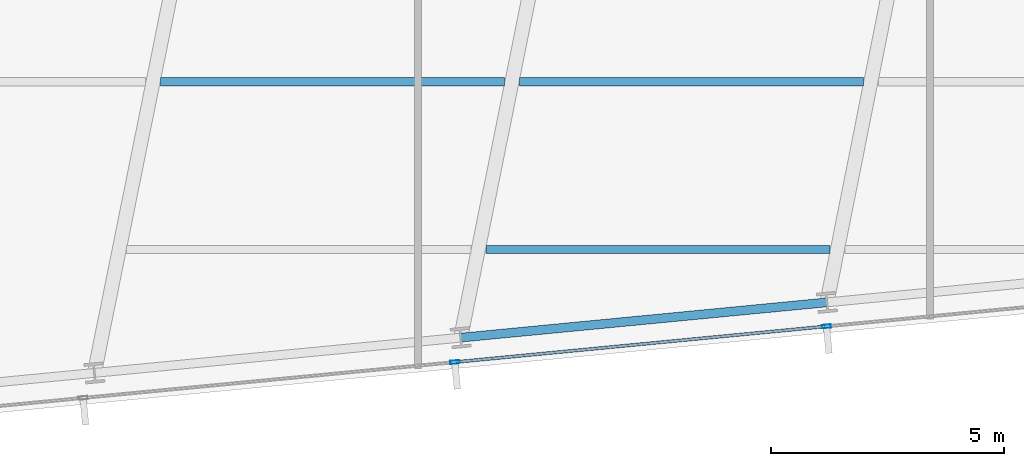
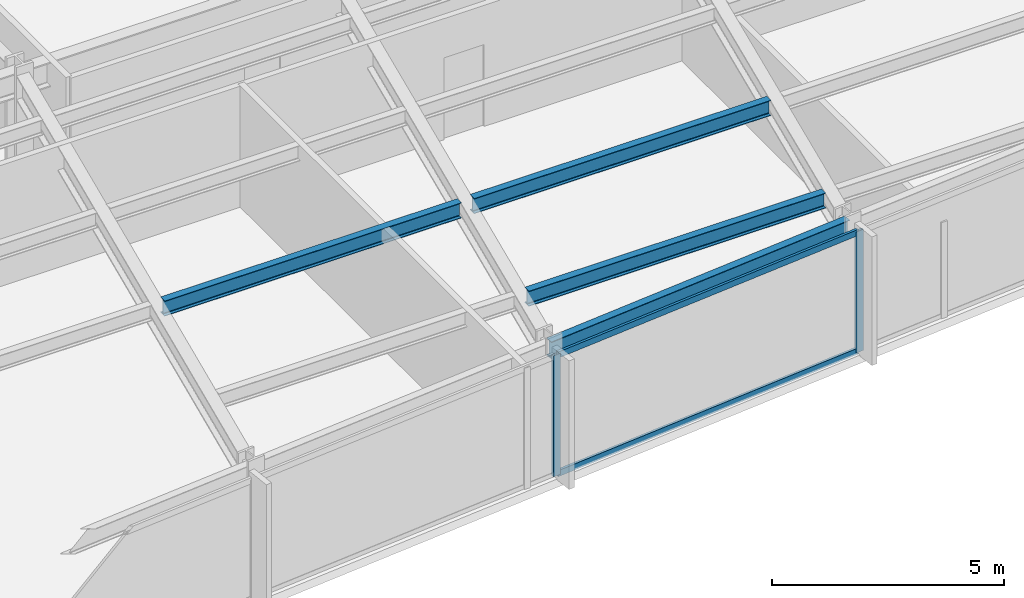
# One storey, part 4 of 32: 4 beams, 4 members, 1 element without a shape of its own.
"""IFC4 building model written with IfcOpenShell, lengths in metres."""

from ifc_helpers import new_model, si_unit, direction, frame, origin, origin_2d, place, context, subcontext, project, spatial, hollow_rectangle, i_section, extrude, material, material_profile, profile_set, type_object, element, aggregate, save


model = new_model("IFC4")

# Units and contexts
model_context = context("Model", 3, precision=1e-05, world=origin(), true_north=direction((0.0, 1.0)))
body_context = subcontext(model_context, "Body", "Model", "MODEL_VIEW")
ifc_project = project(units=[si_unit("LENGTHUNIT", "METRE"), si_unit("AREAUNIT", "SQUARE_METRE"), si_unit("VOLUMEUNIT", "CUBIC_METRE"), si_unit("PLANEANGLEUNIT", "RADIAN"), si_unit("MASSUNIT", "GRAM", prefix="KILO")], contexts=[model_context])

# Site, building, storey
site_placement = place(None, origin())
site = spatial("IfcSite", under=ifc_project, at=site_placement, CompositionType="ELEMENT")
building_placement = place(site_placement, origin())
building = spatial("IfcBuilding", under=site, at=building_placement, Name="Yelkora Congress Tower", CompositionType="ELEMENT")
storey_placement = place(building_placement, frame((0.0, 0.0, 99.89990234375)))
storey = spatial("IfcBuildingStorey", under=building, at=storey_placement, Name="L26", CompositionType="ELEMENT", Elevation=99.89990234375)

# Beams
ifc_material_1 = material(Name="Steel S355J2", Category="steel")
ifc_material_profile_1 = material_profile(ifc_material_1, i_section(OverallWidth=0.179931640625, OverallDepth=0.39990234375, WebThickness=0.008544921875, FlangeThickness=0.013427734375, FilletRadius=0.02099609375, at=origin_2d()), Name="IPE 400")
ifc_profile_set_1 = profile_set([ifc_material_profile_1], Name="Steel S355J2")
beam_type_1 = type_object("IfcBeamType", Name="BM-JOIST-IPE400", PredefinedType="JOIST", material=ifc_profile_set_1)
beam_1_placement = place(storey_placement, frame((36.023193359375, 12.54443359375, 2.97998046875), z_axis=(1.0, 0.0, 0.0), x_axis=(0.0, 1.0, 0.0)))
element("IfcBeam", 1, at=beam_1_placement, inside=storey, type_object=beam_type_1, Name="L26 Composite Floor Joist 2", PredefinedType="JOIST", context=body_context, shape_type="SweptSolid", body=[
    extrude(i_section(OverallWidth=0.179931640625, OverallDepth=0.39990234375, WebThickness=0.008544921875, FlangeThickness=0.013427734375, FilletRadius=0.02099609375, at=origin_2d()), origin(), (0.0, 0.0, 1.0), 7.37646484375),
])
beam_2_placement = place(storey_placement, frame((29.05419921875, 16.144287109375, 2.97998046875), z_axis=(1.0, 0.0, 0.0), x_axis=(0.0, 1.0, 0.0)))
element("IfcBeam", 2, at=beam_2_placement, inside=storey, type_object=beam_type_1, Name="L26 Composite Floor Joist 5", PredefinedType="JOIST", context=body_context, shape_type="SweptSolid", body=[
    extrude(i_section(OverallWidth=0.179931640625, OverallDepth=0.39990234375, WebThickness=0.008544921875, FlangeThickness=0.013427734375, FilletRadius=0.02099609375, at=origin_2d()), origin(), (0.0, 0.0, 1.0), 7.37060546875),
])
beam_3_placement = place(storey_placement, frame((36.744873046875, 16.144287109375, 2.97998046875), z_axis=(1.0, 0.0, 0.0), x_axis=(0.0, 1.0, 0.0)))
element("IfcBeam", 3, at=beam_3_placement, inside=storey, type_object=beam_type_1, Name="L26 Composite Floor Joist 6", PredefinedType="JOIST", context=body_context, shape_type="SweptSolid", body=[
    extrude(i_section(OverallWidth=0.179931640625, OverallDepth=0.39990234375, WebThickness=0.008544921875, FlangeThickness=0.013427734375, FilletRadius=0.02099609375, at=origin_2d()), origin(), (0.0, 0.0, 1.0), 7.371826171875),
])
ifc_material_profile_2 = material_profile(ifc_material_1, i_section(OverallWidth=0.18994140625, OverallDepth=0.449951171875, WebThickness=0.009521484375, FlangeThickness=0.0146484375, FilletRadius=0.02099609375, at=origin_2d()), Name="IPE 450")
ifc_profile_set_2 = profile_set([ifc_material_profile_2], Name="Steel S355J2")
beam_type_2 = type_object("IfcBeamType", Name="BM-SPAN-IPE450", PredefinedType="SPANDREL", material=ifc_profile_set_2)
beam_4_placement = place(storey_placement, frame((35.48486328125, 10.656005859375, 2.955078125), z_axis=(0.995395575667, 0.095852219286, 0.0), x_axis=(-0.095852219286, 0.995395575667, 0.0)))
element("IfcBeam", 4, at=beam_4_placement, inside=storey, type_object=beam_type_2, Name="L26 Perimeter Beam 5", PredefinedType="SPANDREL", context=body_context, shape_type="SweptSolid", body=[
    extrude(i_section(OverallWidth=0.18994140625, OverallDepth=0.449951171875, WebThickness=0.009521484375, FlangeThickness=0.0146484375, FilletRadius=0.02099609375, at=origin_2d()), origin(), (0.0, 0.0, 1.0), 7.8857421875),
])

# Curtain wall, members
ifc_material_2 = material(Name="Anodised aluminium and insulated glass", Category="aluminium")
curtain_wall_type = type_object("IfcCurtainWallType", Name="CW-SYS-B2", PredefinedType="NOTDEFINED", material=ifc_material_2)
curtain_wall_placement = place(storey_placement, origin())
curtain_wall = element("IfcCurtainWall", 5, at=curtain_wall_placement, inside=storey, type_object=curtain_wall_type, Name="L26 Unitised Curtain Wall 20", PredefinedType="NOTDEFINED")
ifc_material_3 = material(Name="Anodised aluminium 6063-T6", Category="aluminium")
ifc_material_profile_3 = material_profile(ifc_material_3, hollow_rectangle(XDim=0.070068359375, YDim=0.18994140625, WallThickness=0.00390625, at=origin_2d()), Name="ALU 70x190x4")
ifc_profile_set_3 = profile_set([ifc_material_profile_3], Name="Anodised aluminium 6063-T6")
member_type_1 = type_object("IfcMemberType", Name="MEM-ML-B2", PredefinedType="MULLION", material=ifc_profile_set_3)
member_1_placement = place(storey_placement, frame((43.32470703125, 10.898681640625, 0.0), z_axis=(0.0, 0.0, 1.0), x_axis=(0.095844345816, -0.995396333816, 0.0)))
member_1 = element("IfcMember", 6, at=member_1_placement, type_object=member_type_1, Name="CW-B2 mullion 5", PredefinedType="MULLION", context=body_context, shape_type="SweptSolid", body=[
    extrude(hollow_rectangle(XDim=0.070068359375, YDim=0.18994140625, WallThickness=0.00390625, at=origin_2d()), origin(), (0.0, 0.0, 1.0), 3.18017578125),
])
member_2_placement = place(storey_placement, frame((35.358642578125, 10.131591796875, 0.0), z_axis=(0.0, 0.0, 1.0), x_axis=(0.095844345816, -0.995396333816, 0.0)))
member_2 = element("IfcMember", 7, at=member_2_placement, type_object=member_type_1, Name="CW-B2 mullion 6", PredefinedType="MULLION", context=body_context, shape_type="SweptSolid", body=[
    extrude(hollow_rectangle(XDim=0.070068359375, YDim=0.18994140625, WallThickness=0.00390625, at=origin_2d()), origin(), (0.0, 0.0, 1.0), 3.18017578125),
])
ifc_material_profile_4 = material_profile(ifc_material_3, hollow_rectangle(XDim=0.06494140625, YDim=0.159912109375, WallThickness=0.00390625, at=origin_2d()), Name="ALU 65x160x4")
ifc_profile_set_4 = profile_set([ifc_material_profile_4], Name="Anodised aluminium 6063-T6")
member_type_2 = type_object("IfcMemberType", Name="MEM-TR-B2", PredefinedType="USERDEFINED", material=ifc_profile_set_4)
member_3_placement = place(storey_placement, frame((43.289794921875, 10.895263671875, 0.03271484375), z_axis=(-0.995397010735, -0.095837315383, 0.0), x_axis=(0.095837315383, -0.995397010735, 0.0)))
member_3 = element("IfcMember", 8, at=member_3_placement, type_object=member_type_2, Name="CW-B2 transom 5.1", ObjectType="TRANSOM", PredefinedType="USERDEFINED", context=body_context, shape_type="SweptSolid", body=[
    extrude(hollow_rectangle(XDim=0.06494140625, YDim=0.159912109375, WallThickness=0.00390625, at=origin_2d()), origin(), (0.0, 0.0, 1.0), 7.932861328125),
])
member_4_placement = place(storey_placement, frame((43.289794921875, 10.895263671875, 3.147705078125), z_axis=(-0.995397010735, -0.095837315383, 0.0), x_axis=(0.095837315383, -0.995397010735, 0.0)))
member_4 = element("IfcMember", 9, at=member_4_placement, type_object=member_type_2, Name="CW-B2 transom 5.2", ObjectType="TRANSOM", PredefinedType="USERDEFINED", context=body_context, shape_type="SweptSolid", body=[
    extrude(hollow_rectangle(XDim=0.06494140625, YDim=0.159912109375, WallThickness=0.00390625, at=origin_2d()), origin(), (0.0, 0.0, 1.0), 7.932861328125),
])
aggregate(curtain_wall, [member_1, member_2, member_3, member_4])

save(model, "model.ifc")
